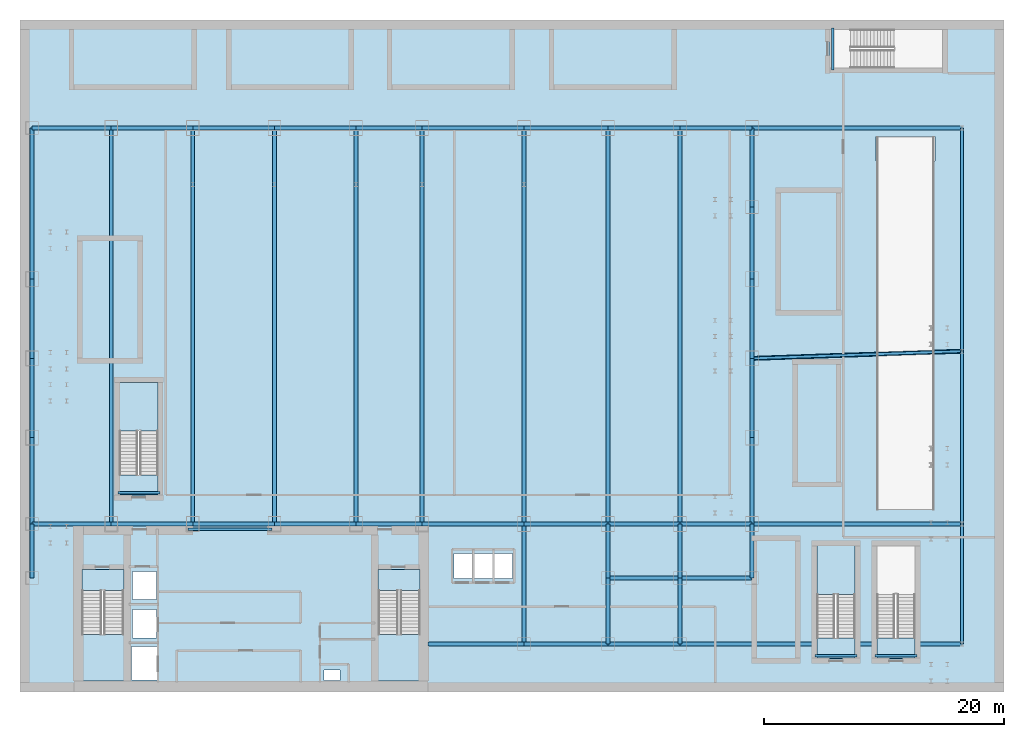
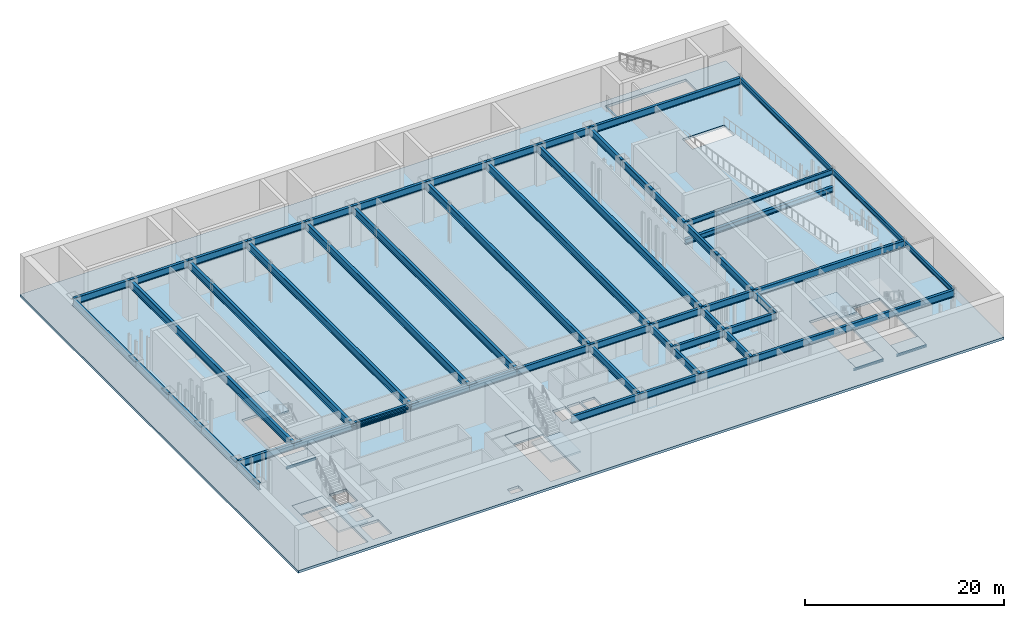
# One storey, part 7 of 16: 60 beams, 10 slabs, 4 elements without a shape of their own.
"""IFC4 building model written with IfcOpenShell, lengths in metres."""

import ifcopenshell
import ifcopenshell.guid

model = None  # the IFC model being written
_history = None  # IfcOwnerHistory: only IFC2X3 demands one
_inside = {}  # id of a spatial element -> (the spatial element, [elements in it])
_under = {}  # id of a project, library or spatial element -> (it, [spatial elements below it])
_declared = {}  # id of a project -> (the project, [libraries it declares])
_typed = {}  # id of a type object -> (the type object, [elements of that type])
_made_of = {}  # id of a material, layer set ... -> (it, [elements and type objects made of it])


def new_model(schema):
    """Start an empty IFC model of exactly this schema.

    Asked for "IFC4X3", IfcOpenShell would pick the latest addendum, in which some entities
    have other attributes; the version numbers below select the first issue.
    IFC2X3 requires an IfcOwnerHistory on every rooted entity: one is made here for all.
    """
    global model, _history
    if schema == "IFC4X3":
        model = ifcopenshell.file(schema_version=(4, 3, 0, 0))
    else:
        model = ifcopenshell.file(schema=schema)
    _inside.clear()
    _under.clear()
    _declared.clear()
    _typed.clear()
    _made_of.clear()
    _history = None
    if model.schema == "IFC2X3":
        org = make("IfcOrganization", Name="unknown")
        user = make(
            "IfcPersonAndOrganization",
            ThePerson=make("IfcPerson", FamilyName="unknown"),
            TheOrganization=org,
        )
        app = make(
            "IfcApplication",
            ApplicationDeveloper=org,
            Version="unknown",
            ApplicationFullName="unknown",
            ApplicationIdentifier="unknown",
        )
        _history = make(
            "IfcOwnerHistory",
            OwningUser=user,
            OwningApplication=app,
            ChangeAction="ADDED",
            CreationDate=0,
        )
    return model


def make(cls, **values):
    """One entity of the class cls with the attributes given. An attribute that is None is left unset."""
    return model.create_entity(
        cls, **{name: value for name, value in values.items() if value is not None}
    )


def rooted(cls, **values):
    """An entity with a GlobalId (a new one), such as an element, a storey or a relation."""
    return make(cls, GlobalId=ifcopenshell.guid.new(), OwnerHistory=_history, **values)


def si_unit(unit_type, name, prefix=None):
    """IfcSIUnit, for example si_unit("LENGTHUNIT", "METRE", prefix="MILLI")."""
    return make("IfcSIUnit", UnitType=unit_type, Prefix=prefix, Name=name)


def derived_unit(unit_type, elements):
    """IfcDerivedUnit: a product of units, each with its exponent."""
    return make(
        "IfcDerivedUnit",
        Elements=[
            make("IfcDerivedUnitElement", Unit=unit, Exponent=power)
            for unit, power in elements
        ],
        UnitType=unit_type,
    )


def assignment(units):
    """IfcUnitAssignment: the units of a project."""
    return None if units is None else make("IfcUnitAssignment", Units=units)


def point(xyz):
    """IfcCartesianPoint."""
    return None if xyz is None else make("IfcCartesianPoint", Coordinates=xyz)


def direction(xyz):
    """IfcDirection."""
    return None if xyz is None else make("IfcDirection", DirectionRatios=xyz)


def frame(location, z_axis=None, x_axis=None):
    """IfcAxis2Placement3D, a coordinate frame: its origin and axes. An axis left out is left unset."""
    return make(
        "IfcAxis2Placement3D",
        Location=point(location),
        Axis=direction(z_axis),
        RefDirection=direction(x_axis),
    )


def frame_2d(location, x_axis=None):
    """IfcAxis2Placement2D, a coordinate frame in the plane: its origin and x axis."""
    return make(
        "IfcAxis2Placement2D", Location=point(location), RefDirection=direction(x_axis)
    )


def origin():
    """The frame at (0, 0, 0) with its axes left unset."""
    return frame((0.0, 0.0, 0.0))


def origin_2d():
    """The frame at (0, 0) in the plane with its x axis left unset."""
    return frame_2d((0.0, 0.0))


def place(relative_to, where):
    """IfcLocalPlacement: puts the frame where relative to a parent placement (None: the world)."""
    return make(
        "IfcLocalPlacement", PlacementRelTo=relative_to, RelativePlacement=where
    )


def context(
    kind, dimensions, precision=None, world=None, true_north=None, identifier=None
):
    """IfcGeometricRepresentationContext, for example the 3D "Model" context."""
    return make(
        "IfcGeometricRepresentationContext",
        ContextIdentifier=identifier,
        ContextType=kind,
        CoordinateSpaceDimension=dimensions,
        Precision=precision,
        WorldCoordinateSystem=world,
        TrueNorth=true_north,
    )


def subcontext(parent, identifier, kind, view, scale=None):
    """IfcGeometricRepresentationSubContext, for example "Body" below "Model"."""
    return make(
        "IfcGeometricRepresentationSubContext",
        ContextIdentifier=identifier,
        ContextType=kind,
        ParentContext=parent,
        TargetScale=scale,
        TargetView=view,
    )


def project(units=None, contexts=None):
    """IfcProject with its units and contexts."""
    return rooted(
        "IfcProject",
        Name="project",
        RepresentationContexts=contexts,
        UnitsInContext=assignment(units),
    )


def spatial(cls, under=None, at=None, **own):
    """A site, building, storey or space (cls), placed at a placement, below another one or the project."""
    s = rooted(cls, ObjectPlacement=at, **own)
    if under is not None:
        _under.setdefault(under.id(), (under, []))[1].append(s)
    return s


def polyline(points):
    """IfcPolyline through the points."""
    return make("IfcPolyline", Points=[point(p) for p in points])


def profile(cls, at=None, kind="AREA", **sizes):
    """A parametric profile (cls). Its sizes go by their IFC names, for example OverallWidth=200.0."""
    return make(cls, ProfileType=kind, Position=at, **sizes)


def i_section(**sizes):
    """IfcIShapeProfileDef."""
    return profile("IfcIShapeProfileDef", **sizes)


def outline(outer, holes=None, kind="AREA"):
    """IfcArbitraryClosedProfileDef: a profile drawn as a closed curve; with holes, ...WithVoids."""
    if holes is None:
        return make("IfcArbitraryClosedProfileDef", ProfileType=kind, OuterCurve=outer)
    return make(
        "IfcArbitraryProfileDefWithVoids",
        ProfileType=kind,
        OuterCurve=outer,
        InnerCurves=holes,
    )


def extrude(swept, where, along, depth):
    """IfcExtrudedAreaSolid: the profile swept, set in the frame where, extruded along a direction by depth."""
    return make(
        "IfcExtrudedAreaSolid",
        SweptArea=swept,
        Position=where,
        ExtrudedDirection=direction(along),
        Depth=depth,
    )


def shape(context_of_items, identifier, shape_type, items):
    """IfcShapeRepresentation: the items that make up one representation, for example the "Body"."""
    return make(
        "IfcShapeRepresentation",
        ContextOfItems=context_of_items,
        RepresentationIdentifier=identifier,
        RepresentationType=shape_type,
        Items=items,
    )


def source(mapping_origin, context_of_items, identifier, shape_type, items):
    """IfcRepresentationMap: a shape defined once, which mapped items show again and again."""
    return make(
        "IfcRepresentationMap",
        MappingOrigin=mapping_origin,
        MappedRepresentation=shape(context_of_items, identifier, shape_type, items),
    )


def transform(
    local_origin,
    x_axis=None,
    y_axis=None,
    z_axis=None,
    scale=None,
    scale2=None,
    scale3=None,
    uniform=True,
):
    """IfcCartesianTransformationOperator3D, or its non-uniform kind. x_axis, y_axis, z_axis: its Axis1, 2, 3."""
    if uniform:
        return make(
            "IfcCartesianTransformationOperator3D",
            Axis1=direction(x_axis),
            Axis2=direction(y_axis),
            LocalOrigin=point(local_origin),
            Scale=scale,
            Axis3=direction(z_axis),
        )
    return make(
        "IfcCartesianTransformationOperator3DnonUniform",
        Axis1=direction(x_axis),
        Axis2=direction(y_axis),
        LocalOrigin=point(local_origin),
        Scale=scale,
        Axis3=direction(z_axis),
        Scale2=scale2,
        Scale3=scale3,
    )


def mapped(mapping_source, mapping_target):
    """IfcMappedItem: shows the shape of a source again, moved by a transform."""
    return make(
        "IfcMappedItem", MappingSource=mapping_source, MappingTarget=mapping_target
    )


def material(Name=None, Category=None):
    """IfcMaterial."""
    return make("IfcMaterial", Name=Name, Category=Category)


def layer(
    of_material, thickness, ventilated=None, Name=None, Category=None, Priority=None
):
    """IfcMaterialLayer: one layer of a wall or slab, of a material (None: an air gap)."""
    return make(
        "IfcMaterialLayer",
        Material=of_material,
        LayerThickness=thickness,
        IsVentilated=ventilated,
        Name=Name,
        Category=Category,
        Priority=Priority,
    )


def layer_set(layers, Name=None):
    """IfcMaterialLayerSet."""
    return make("IfcMaterialLayerSet", MaterialLayers=layers, LayerSetName=Name)


def material_profile(
    of_material, cross_section, Name=None, Category=None, Priority=None
):
    """IfcMaterialProfile: a cross section and its material."""
    return make(
        "IfcMaterialProfile",
        Name=Name,
        Material=of_material,
        Profile=cross_section,
        Priority=Priority,
        Category=Category,
    )


def profile_set(profiles, Name=None, composite=None):
    """IfcMaterialProfileSet."""
    return make(
        "IfcMaterialProfileSet",
        Name=Name,
        MaterialProfiles=profiles,
        CompositeProfile=composite,
    )


def made_of(thing, what):
    """Note that an element or type object is made of a material, layer set ...; save() writes the relation."""
    if what is not None:
        _made_of.setdefault(what.id(), (what, []))[1].append(thing)
    return thing


def type_object(cls, material=None, **own):
    """A type object (cls), such as IfcWallType, which elements share."""
    return made_of(rooted(cls, **own), material)


def element(
    cls,
    number,
    at=None,
    inside=None,
    cuts=None,
    type_object=None,
    material=None,
    context=None,
    identifier="Body",
    shape_type=None,
    held_by="IfcProductDefinitionShape",
    body=None,
    shapes=None,
    **own,
):
    """One element of the class cls, such as IfcWall. Its Tag is "e" and its number.

    at: its placement. inside: the storey or other place that contains it. cuts: it is an
    opening in that element (IfcRelVoidsElement). A single representation is given by context,
    identifier, shape_type and body (its items); several are given by shapes. held_by: the class
    of the entity that holds the representations. save() writes the other relations.
    """
    e = rooted(cls, Tag="e%d" % number, ObjectPlacement=at, **own)
    if body is not None:
        shapes = [shape(context, identifier, shape_type, body)]
    if shapes is not None:
        e.Representation = make(held_by, Representations=shapes)
    if inside is not None:
        _inside.setdefault(inside.id(), (inside, []))[1].append(e)
    if cuts is not None:
        rooted(
            "IfcRelVoidsElement", RelatingBuildingElement=cuts, RelatedOpeningElement=e
        )
    if type_object is not None:
        _typed.setdefault(type_object.id(), (type_object, []))[1].append(e)
    return made_of(e, material)


def aggregate(whole, parts):
    """IfcRelAggregates: a whole, such as a stair, and the parts it consists of."""
    return rooted("IfcRelAggregates", RelatingObject=whole, RelatedObjects=parts)


def save(model, path):
    """Write the relations noted so far, then the file.

    IfcRelAggregates (storeys below a building ...), IfcRelContainedInSpatialStructure (elements
    in a storey), IfcRelDefinesByType, IfcRelAssociatesMaterial and IfcRelDeclares: one each for
    every whole, place, type object, material and project.
    """
    for whole, parts in _under.values():
        aggregate(whole, parts)
    for where, things in _inside.values():
        rooted(
            "IfcRelContainedInSpatialStructure",
            RelatedElements=things,
            RelatingStructure=where,
        )
    for kind, things in _typed.values():
        rooted("IfcRelDefinesByType", RelatedObjects=things, RelatingType=kind)
    for what, things in _made_of.values():
        rooted("IfcRelAssociatesMaterial", RelatedObjects=things, RelatingMaterial=what)
    for by, libraries in _declared.values():
        rooted("IfcRelDeclares", RelatingContext=by, RelatedDefinitions=libraries)
    model.write(path)


model = new_model("IFC4")

# Units and contexts
model_context = context("Model", 3, precision=1e-05, world=origin(), true_north=direction((0.0, 1.0)))
body_context = subcontext(model_context, "Body", "Model", "MODEL_VIEW")
ifc_project = project(units=[si_unit("LENGTHUNIT", "METRE"), si_unit("AREAUNIT", "SQUARE_METRE"), si_unit("VOLUMEUNIT", "CUBIC_METRE"), si_unit("PLANEANGLEUNIT", "RADIAN"), si_unit("MASSUNIT", "GRAM", prefix="KILO"), derived_unit("THERMALTRANSMITTANCEUNIT", [(si_unit("POWERUNIT", "WATT"), 1), (si_unit("LENGTHUNIT", "METRE"), -2), (si_unit("THERMODYNAMICTEMPERATUREUNIT", "KELVIN"), -1)])], contexts=[model_context])

# Site, building, storey
site_placement = place(None, origin())
site = spatial("IfcSite", under=ifc_project, at=site_placement, CompositionType="ELEMENT")
building_placement = place(site_placement, origin())
building = spatial("IfcBuilding", under=site, at=building_placement, Name="Skarnbrae Concourse Arena and Tower", CompositionType="ELEMENT")
storey_placement = place(building_placement, frame((0.0, 0.0, -5.0)))
storey = spatial("IfcBuildingStorey", under=building, at=storey_placement, Name="B01", CompositionType="ELEMENT", Elevation=-5.0)

# Beams
ifc_material_1 = material(Name="Steel CSA G40.21 350W", Category="steel")
ifc_material_profile_1 = material_profile(ifc_material_1, i_section(OverallWidth=0.202880859375, OverallDepth=0.251953125, WebThickness=0.008056640625, FlangeThickness=0.013427734375, at=origin_2d()), Name="W250X58")
ifc_profile_set_1 = profile_set([ifc_material_profile_1], Name="Steel CSA G40.21 350W")
beam_type_1 = type_object("IfcBeamType", Name="BM-LINTEL-W250X58", PredefinedType="LINTEL", material=ifc_profile_set_1)
shared_shape_1 = source(origin(), body_context, "Body", "SweptSolid", [
    extrude(i_section(OverallWidth=0.202880859375, OverallDepth=0.251953125, WebThickness=0.008056640625, FlangeThickness=0.013427734375, at=origin_2d()), origin(), (0.0, 0.0, 1.0), 7.0),
])
beam_1_placement = place(storey_placement, frame((14.0, 13.550048828125, 4.573974609375), z_axis=(1.0, 0.0, 0.0), x_axis=(0.0, 1.0, 0.0)))
element("IfcBeam", 1, at=beam_1_placement, inside=storey, type_object=beam_type_1, Name="B01 Core portal coupling lintel", PredefinedType="LINTEL", context=body_context, shape_type="MappedRepresentation", body=[
    mapped(shared_shape_1, transform((0.0, 0.0, 0.0))),
])
ifc_material_profile_2 = material_profile(ifc_material_1, i_section(OverallWidth=0.2939453125, OverallDepth=0.85107421875, WebThickness=0.01611328125, FlangeThickness=0.02685546875, at=origin_2d()), Name="W840X226")
ifc_profile_set_2 = profile_set([ifc_material_profile_2], Name="Steel CSA G40.21 350W")
beam_type_2 = type_object("IfcBeamType", Name="BM-GIRD-W840X226", PredefinedType="BEAM", material=ifc_profile_set_2)
shared_shape_2 = source(origin(), body_context, "Body", "SweptSolid", [
    extrude(i_section(OverallWidth=0.2939453125, OverallDepth=0.85107421875, WebThickness=0.01611328125, FlangeThickness=0.02685546875, at=origin_2d()), origin(), (0.0, 0.0, 1.0), 6.60009765625),
])
for number, where, z_axis, x_axis, name in (
    (2, (1.0, 47.0, 4.2744140625), (1.0, 0.0, 0.0), (0.0, 1.0, 0.0), "B01 Podium north girder 1"),
    (3, (1.0, 14.0, 4.2744140625), (1.0, 0.0, 0.0), (0.0, 1.0, 0.0), "B01 Podium south spine girder 1"),
    (4, (1.0, 21.199951171875, 4.2744140625), (0.0, 1.0, 0.0), (-1.0, 0.0, 0.0), "B01 Podium west girder 3"),
    (5, (61.0, 21.199951171875, 4.2744140625), (0.0, 1.0, 0.0), (-1.0, 0.0, 0.0), "B01 Podium east girder 3"),
    (6, (61.0, 40.39990234375, 4.2744140625), (0.0, 1.0, 0.0), (-1.0, 0.0, 0.0), "B01 Podium east girder 6"),
):
    element("IfcBeam", number, at=place(storey_placement, frame(where, z_axis=z_axis, x_axis=x_axis)), inside=storey, type_object=beam_type_2, Name=name, PredefinedType="BEAM", context=body_context, shape_type="MappedRepresentation", body=[
        mapped(shared_shape_2, transform((0.0, 0.0, 0.0))),
    ])
shared_shape_3 = source(origin(), body_context, "Body", "SweptSolid", [
    extrude(i_section(OverallWidth=0.2939453125, OverallDepth=0.85107421875, WebThickness=0.01611328125, FlangeThickness=0.02685546875, at=origin_2d()), origin(), (0.0, 0.0, 1.0), 6.7998046875),
])
for number, where, z_axis, x_axis, name in (
    (7, (7.60009765625, 47.0, 4.2744140625), (1.0, 0.0, 0.0), (0.0, 1.0, 0.0), "B01 Podium north girder 2"),
    (8, (7.60009765625, 14.0, 4.2744140625), (1.0, 0.0, 0.0), (0.0, 1.0, 0.0), "B01 Podium south spine girder 2"),
):
    element("IfcBeam", number, at=place(storey_placement, frame(where, z_axis=z_axis, x_axis=x_axis)), inside=storey, type_object=beam_type_2, Name=name, PredefinedType="BEAM", context=body_context, shape_type="MappedRepresentation", body=[
        mapped(shared_shape_3, transform((0.0, 0.0, 0.0))),
    ])
shared_shape_4 = source(origin(), body_context, "Body", "SweptSolid", [
    extrude(i_section(OverallWidth=0.2939453125, OverallDepth=0.85107421875, WebThickness=0.01611328125, FlangeThickness=0.02685546875, at=origin_2d()), origin(), (0.0, 0.0, 1.0), 6.800048828125),
])
for number, where, z_axis, x_axis, name in (
    (9, (14.39990234375, 47.0, 4.2744140625), (1.0, 0.0, 0.0), (0.0, 1.0, 0.0), "B01 Podium north girder 3"),
    (10, (21.199951171875, 47.0, 4.2744140625), (1.0, 0.0, 0.0), (0.0, 1.0, 0.0), "B01 Podium north girder 4"),
    (11, (14.39990234375, 14.0, 4.2744140625), (1.0, 0.0, 0.0), (0.0, 1.0, 0.0), "B01 Podium south spine girder 3"),
    (12, (21.199951171875, 14.0, 4.2744140625), (1.0, 0.0, 0.0), (0.0, 1.0, 0.0), "B01 Podium south spine girder 4"),
):
    element("IfcBeam", number, at=place(storey_placement, frame(where, z_axis=z_axis, x_axis=x_axis)), inside=storey, type_object=beam_type_2, Name=name, PredefinedType="BEAM", context=body_context, shape_type="MappedRepresentation", body=[
        mapped(shared_shape_4, transform((0.0, 0.0, 0.0))),
    ])
shared_shape_5 = source(origin(), body_context, "Body", "SweptSolid", [
    extrude(i_section(OverallWidth=0.2939453125, OverallDepth=0.85107421875, WebThickness=0.01611328125, FlangeThickness=0.02685546875, at=origin_2d()), origin(), (0.0, 0.0, 1.0), 5.5),
])
for number, where, z_axis, x_axis, name in (
    (13, (28.0, 47.0, 4.2744140625), (1.0, 0.0, 0.0), (0.0, 1.0, 0.0), "B01 Podium north girder 5"),
    (14, (28.0, 14.0, 4.2744140625), (1.0, 0.0, 0.0), (0.0, 1.0, 0.0), "B01 Podium south spine girder 5"),
    (15, (49.0, 4.0, 4.2744140625), (0.0, 1.0, 0.0), (-1.0, 0.0, 0.0), "B01 SE south tie 49"),
    (16, (55.0, 4.0, 4.2744140625), (0.0, 1.0, 0.0), (-1.0, 0.0, 0.0), "B01 SE south tie 55"),
):
    element("IfcBeam", number, at=place(storey_placement, frame(where, z_axis=z_axis, x_axis=x_axis)), inside=storey, type_object=beam_type_2, Name=name, PredefinedType="BEAM", context=body_context, shape_type="MappedRepresentation", body=[
        mapped(shared_shape_5, transform((0.0, 0.0, 0.0))),
    ])
shared_shape_6 = source(origin(), body_context, "Body", "SweptSolid", [
    extrude(i_section(OverallWidth=0.2939453125, OverallDepth=0.85107421875, WebThickness=0.01611328125, FlangeThickness=0.02685546875, at=origin_2d()), origin(), (0.0, 0.0, 1.0), 8.5),
])
for number, where, z_axis, x_axis, name in (
    (17, (33.5, 47.0, 4.2744140625), (1.0, 0.0, 0.0), (0.0, 1.0, 0.0), "B01 Podium north girder 6"),
    (18, (33.5, 14.0, 4.2744140625), (1.0, 0.0, 0.0), (0.0, 1.0, 0.0), "B01 Podium south spine girder 6"),
):
    element("IfcBeam", number, at=place(storey_placement, frame(where, z_axis=z_axis, x_axis=x_axis)), inside=storey, type_object=beam_type_2, Name=name, PredefinedType="BEAM", context=body_context, shape_type="MappedRepresentation", body=[
        mapped(shared_shape_6, transform((0.0, 0.0, 0.0))),
    ])
shared_shape_7 = source(origin(), body_context, "Body", "SweptSolid", [
    extrude(i_section(OverallWidth=0.2939453125, OverallDepth=0.85107421875, WebThickness=0.01611328125, FlangeThickness=0.02685546875, at=origin_2d()), origin(), (0.0, 0.0, 1.0), 7.0),
])
for number, where, z_axis, x_axis, name in (
    (19, (42.0, 47.0, 4.2744140625), (1.0, 0.0, 0.0), (0.0, 1.0, 0.0), "B01 Podium north girder 7"),
    (20, (42.0, 14.0, 4.2744140625), (1.0, 0.0, 0.0), (0.0, 1.0, 0.0), "B01 Podium south spine girder 7"),
    (21, (42.0, 4.0, 4.2744140625), (1.0, 0.0, 0.0), (0.0, 1.0, 0.0), "B01 South-east girder 2"),
):
    element("IfcBeam", number, at=place(storey_placement, frame(where, z_axis=z_axis, x_axis=x_axis)), inside=storey, type_object=beam_type_2, Name=name, PredefinedType="BEAM", context=body_context, shape_type="MappedRepresentation", body=[
        mapped(shared_shape_7, transform((0.0, 0.0, 0.0))),
    ])
shared_shape_8 = source(origin(), body_context, "Body", "SweptSolid", [
    extrude(i_section(OverallWidth=0.2939453125, OverallDepth=0.85107421875, WebThickness=0.01611328125, FlangeThickness=0.02685546875, at=origin_2d()), origin(), (0.0, 0.0, 1.0), 6.0),
])
for number, where, z_axis, x_axis, name in (
    (22, (49.0, 47.0, 4.2744140625), (1.0, 0.0, 0.0), (0.0, 1.0, 0.0), "B01 Podium north girder 8"),
    (23, (55.0, 47.0, 4.2744140625), (1.0, 0.0, 0.0), (0.0, 1.0, 0.0), "B01 Podium north girder 9"),
    (24, (49.0, 14.0, 4.2744140625), (1.0, 0.0, 0.0), (0.0, 1.0, 0.0), "B01 Podium south spine girder 8"),
    (25, (55.0, 14.0, 4.2744140625), (1.0, 0.0, 0.0), (0.0, 1.0, 0.0), "B01 Podium south spine girder 9"),
    (26, (61.0, 34.39990234375, 4.2744140625), (0.0, 1.0, 0.0), (-1.0, 0.0, 0.0), "B01 Podium east girder 5"),
    (27, (49.0, 9.5, 4.2744140625), (1.0, 0.0, 0.0), (0.0, 1.0, 0.0), "B01 SE elbow girder 1"),
    (28, (55.0, 9.5, 4.2744140625), (1.0, 0.0, 0.0), (0.0, 1.0, 0.0), "B01 SE elbow girder 2"),
    (29, (49.0, 4.0, 4.2744140625), (1.0, 0.0, 0.0), (0.0, 1.0, 0.0), "B01 South-east girder 3"),
):
    element("IfcBeam", number, at=place(storey_placement, frame(where, z_axis=z_axis, x_axis=x_axis)), inside=storey, type_object=beam_type_2, Name=name, PredefinedType="BEAM", context=body_context, shape_type="MappedRepresentation", body=[
        mapped(shared_shape_8, transform((0.0, 0.0, 0.0))),
    ])
shared_shape_9 = source(origin(), body_context, "Body", "SweptSolid", [
    extrude(i_section(OverallWidth=0.2939453125, OverallDepth=0.85107421875, WebThickness=0.01611328125, FlangeThickness=0.02685546875, at=origin_2d()), origin(), (0.0, 0.0, 1.0), 17.5),
])
for number, where, z_axis, x_axis, name in (
    (30, (61.0, 47.0, 4.2744140625), (1.0, 0.0, 0.0), (0.0, 1.0, 0.0), "B01 Podium north girder 10"),
    (31, (61.0, 14.0, 4.2744140625), (1.0, 0.0, 0.0), (0.0, 1.0, 0.0), "B01 Podium south spine girder 10"),
):
    element("IfcBeam", number, at=place(storey_placement, frame(where, z_axis=z_axis, x_axis=x_axis)), inside=storey, type_object=beam_type_2, Name=name, PredefinedType="BEAM", context=body_context, shape_type="MappedRepresentation", body=[
        mapped(shared_shape_9, transform((0.0, 0.0, 0.0))),
    ])
shared_shape_10 = source(origin(), body_context, "Body", "SweptSolid", [
    extrude(i_section(OverallWidth=0.2939453125, OverallDepth=0.85107421875, WebThickness=0.01611328125, FlangeThickness=0.02685546875, at=origin_2d()), origin(), (0.0, 0.0, 1.0), 4.5),
])
for number, where, z_axis, x_axis, name in (
    (32, (1.0, 9.5, 4.2744140625), (0.0, 1.0, 0.0), (-1.0, 0.0, 0.0), "B01 Podium west girder 1"),
    (33, (61.0, 9.5, 4.2744140625), (0.0, 1.0, 0.0), (-1.0, 0.0, 0.0), "B01 Podium east girder 1"),
    (34, (49.0, 9.5, 4.2744140625), (0.0, 1.0, 0.0), (-1.0, 0.0, 0.0), "B01 SE north tie 49"),
    (35, (55.0, 9.5, 4.2744140625), (0.0, 1.0, 0.0), (-1.0, 0.0, 0.0), "B01 SE north tie 55"),
):
    element("IfcBeam", number, at=place(storey_placement, frame(where, z_axis=z_axis, x_axis=x_axis)), inside=storey, type_object=beam_type_2, Name=name, PredefinedType="BEAM", context=body_context, shape_type="MappedRepresentation", body=[
        mapped(shared_shape_10, transform((0.0, 0.0, 0.0))),
    ])
shared_shape_11 = source(origin(), body_context, "Body", "SweptSolid", [
    extrude(i_section(OverallWidth=0.2939453125, OverallDepth=0.85107421875, WebThickness=0.01611328125, FlangeThickness=0.02685546875, at=origin_2d()), origin(), (0.0, 0.0, 1.0), 7.199951171875),
])
for number, where, z_axis, x_axis, name in (
    (36, (1.0, 14.0, 4.2744140625), (0.0, 1.0, 0.0), (-1.0, 0.0, 0.0), "B01 Podium west girder 2"),
    (37, (61.0, 14.0, 4.2744140625), (0.0, 1.0, 0.0), (-1.0, 0.0, 0.0), "B01 Podium east girder 2"),
):
    element("IfcBeam", number, at=place(storey_placement, frame(where, z_axis=z_axis, x_axis=x_axis)), inside=storey, type_object=beam_type_2, Name=name, PredefinedType="BEAM", context=body_context, shape_type="MappedRepresentation", body=[
        mapped(shared_shape_11, transform((0.0, 0.0, 0.0))),
    ])
shared_shape_12 = source(origin(), body_context, "Body", "SweptSolid", [
    extrude(i_section(OverallWidth=0.2939453125, OverallDepth=0.85107421875, WebThickness=0.01611328125, FlangeThickness=0.02685546875, at=origin_2d()), origin(), (0.0, 0.0, 1.0), 6.599853515625),
])
for number, where, z_axis, x_axis, name in (
    (38, (1.0, 27.800048828125, 4.2744140625), (0.0, 1.0, 0.0), (-1.0, 0.0, 0.0), "B01 Podium west girder 4"),
    (39, (61.0, 27.800048828125, 4.2744140625), (0.0, 1.0, 0.0), (-1.0, 0.0, 0.0), "B01 Podium east girder 4"),
):
    element("IfcBeam", number, at=place(storey_placement, frame(where, z_axis=z_axis, x_axis=x_axis)), inside=storey, type_object=beam_type_2, Name=name, PredefinedType="BEAM", context=body_context, shape_type="MappedRepresentation", body=[
        mapped(shared_shape_12, transform((0.0, 0.0, 0.0))),
    ])
shared_shape_13 = source(origin(), body_context, "Body", "SweptSolid", [
    extrude(i_section(OverallWidth=0.2939453125, OverallDepth=0.85107421875, WebThickness=0.01611328125, FlangeThickness=0.02685546875, at=origin_2d()), origin(), (0.0, 0.0, 1.0), 12.60009765625),
])
beam_2_placement = place(storey_placement, frame((1.0, 34.39990234375, 4.2744140625), z_axis=(0.0, 1.0, 0.0), x_axis=(-1.0, 0.0, 0.0)))
element("IfcBeam", 40, at=beam_2_placement, inside=storey, type_object=beam_type_2, Name="B01 Podium west girder 5", PredefinedType="BEAM", context=body_context, shape_type="MappedRepresentation", body=[
    mapped(shared_shape_13, transform((0.0, 0.0, 0.0))),
])
ifc_material_profile_3 = material_profile(ifc_material_1, i_section(OverallWidth=0.22802734375, OverallDepth=0.60791015625, WebThickness=0.01123046875, FlangeThickness=0.017333984375, at=origin_2d()), Name="W610X113")
ifc_profile_set_3 = profile_set([ifc_material_profile_3], Name="Steel CSA G40.21 350W")
beam_type_3 = type_object("IfcBeamType", Name="BM-GIRD-W610X113", PredefinedType="BEAM", material=ifc_profile_set_3)
shared_shape_14 = source(origin(), body_context, "Body", "SweptSolid", [
    extrude(i_section(OverallWidth=0.22802734375, OverallDepth=0.60791015625, WebThickness=0.01123046875, FlangeThickness=0.017333984375, at=origin_2d()), origin(), (0.0, 0.0, 1.0), 10.0),
])
beam_3_placement = place(storey_placement, frame((78.5, 4.0, 4.39599609375), z_axis=(0.0, 1.0, 0.0), x_axis=(-1.0, 0.0, 0.0)))
element("IfcBeam", 41, at=beam_3_placement, inside=storey, type_object=beam_type_3, Name="B01 Podium outer east girder 1", PredefinedType="BEAM", context=body_context, shape_type="MappedRepresentation", body=[
    mapped(shared_shape_14, transform((0.0, 0.0, 0.0))),
])
shared_shape_15 = source(origin(), body_context, "Body", "SweptSolid", [
    extrude(i_section(OverallWidth=0.22802734375, OverallDepth=0.60791015625, WebThickness=0.01123046875, FlangeThickness=0.017333984375, at=origin_2d()), origin(), (0.0, 0.0, 1.0), 14.39990234375),
])
beam_4_placement = place(storey_placement, frame((78.5, 14.0, 4.39599609375), z_axis=(0.0, 1.0, 0.0), x_axis=(-1.0, 0.0, 0.0)))
element("IfcBeam", 42, at=beam_4_placement, inside=storey, type_object=beam_type_3, Name="B01 Podium outer east girder 2", PredefinedType="BEAM", context=body_context, shape_type="MappedRepresentation", body=[
    mapped(shared_shape_15, transform((0.0, 0.0, 0.0))),
])
shared_shape_16 = source(origin(), body_context, "Body", "SweptSolid", [
    extrude(i_section(OverallWidth=0.22802734375, OverallDepth=0.60791015625, WebThickness=0.01123046875, FlangeThickness=0.017333984375, at=origin_2d()), origin(), (0.0, 0.0, 1.0), 18.60009765625),
])
beam_5_placement = place(storey_placement, frame((78.5, 28.39990234375, 4.39599609375), z_axis=(0.0, 1.0, 0.0), x_axis=(-1.0, 0.0, 0.0)))
element("IfcBeam", 43, at=beam_5_placement, inside=storey, type_object=beam_type_3, Name="B01 Podium outer east girder 3", PredefinedType="BEAM", context=body_context, shape_type="MappedRepresentation", body=[
    mapped(shared_shape_16, transform((0.0, 0.0, 0.0))),
])
shared_shape_17 = source(origin(), body_context, "Body", "SweptSolid", [
    extrude(i_section(OverallWidth=0.22802734375, OverallDepth=0.60791015625, WebThickness=0.01123046875, FlangeThickness=0.017333984375, at=origin_2d()), origin(), (0.0, 0.0, 1.0), 17.51025390625),
])
beam_6_placement = place(storey_placement, frame((61.0, 27.800048828125, 4.39599609375), z_axis=(0.999413049025, 0.03425722463, 0.0), x_axis=(-0.03425722463, 0.999413049025, 0.0)))
element("IfcBeam", 44, at=beam_6_placement, inside=storey, type_object=beam_type_3, Name="B01 East concourse tie girder", PredefinedType="BEAM", context=body_context, shape_type="MappedRepresentation", body=[
    mapped(shared_shape_17, transform((0.0, 0.0, 0.0))),
])
shared_shape_18 = source(origin(), body_context, "Body", "SweptSolid", [
    extrude(i_section(OverallWidth=0.2939453125, OverallDepth=0.85107421875, WebThickness=0.01611328125, FlangeThickness=0.02685546875, at=origin_2d()), origin(), (0.0, 0.0, 1.0), 8.0),
])
beam_7_placement = place(storey_placement, frame((34.0, 4.0, 4.2744140625), z_axis=(1.0, 0.0, 0.0), x_axis=(0.0, 1.0, 0.0)))
element("IfcBeam", 45, at=beam_7_placement, inside=storey, type_object=beam_type_2, Name="B01 South-east girder 1", PredefinedType="BEAM", context=body_context, shape_type="MappedRepresentation", body=[
    mapped(shared_shape_18, transform((0.0, 0.0, 0.0))),
])
shared_shape_19 = source(origin(), body_context, "Body", "SweptSolid", [
    extrude(i_section(OverallWidth=0.2939453125, OverallDepth=0.85107421875, WebThickness=0.01611328125, FlangeThickness=0.02685546875, at=origin_2d()), origin(), (0.0, 0.0, 1.0), 23.5),
])
beam_8_placement = place(storey_placement, frame((55.0, 4.0, 4.2744140625), z_axis=(1.0, 0.0, 0.0), x_axis=(0.0, 1.0, 0.0)))
element("IfcBeam", 46, at=beam_8_placement, inside=storey, type_object=beam_type_2, Name="B01 South-east girder 4", PredefinedType="BEAM", context=body_context, shape_type="MappedRepresentation", body=[
    mapped(shared_shape_19, transform((0.0, 0.0, 0.0))),
])
shared_shape_20 = source(origin(), body_context, "Body", "SweptSolid", [
    extrude(i_section(OverallWidth=0.2939453125, OverallDepth=0.85107421875, WebThickness=0.01611328125, FlangeThickness=0.02685546875, at=origin_2d()), origin(), (0.0, 0.0, 1.0), 10.0),
])
beam_9_placement = place(storey_placement, frame((42.0, 4.0, 4.2744140625), z_axis=(0.0, 1.0, 0.0), x_axis=(-1.0, 0.0, 0.0)))
element("IfcBeam", 47, at=beam_9_placement, inside=storey, type_object=beam_type_2, Name="B01 SE cross tie 42", PredefinedType="BEAM", context=body_context, shape_type="MappedRepresentation", body=[
    mapped(shared_shape_20, transform((0.0, 0.0, 0.0))),
])
ifc_material_profile_4 = material_profile(ifc_material_1, i_section(OverallWidth=0.30908203125, OverallDepth=0.931884765625, WebThickness=0.01953125, FlangeThickness=0.034423828125, at=origin_2d()), Name="W920X313")
ifc_profile_set_4 = profile_set([ifc_material_profile_4], Name="Steel CSA G40.21 350W")
beam_type_4 = type_object("IfcBeamType", Name="BM-GIRD-W920X313", PredefinedType="BEAM", material=ifc_profile_set_4)
shared_shape_21 = source(origin(), body_context, "Body", "SweptSolid", [
    extrude(i_section(OverallWidth=0.30908203125, OverallDepth=0.931884765625, WebThickness=0.01953125, FlangeThickness=0.034423828125, at=origin_2d()), origin(), (0.0, 0.0, 1.0), 33.0),
])
for number, where, z_axis, x_axis, name in (
    (48, (7.60009765625, 14.0, 4.23388671875), (0.0, 1.0, 0.0), (-1.0, 0.0, 0.0), "B01 Arena span girder 1"),
    (49, (14.39990234375, 14.0, 4.23388671875), (0.0, 1.0, 0.0), (-1.0, 0.0, 0.0), "B01 Arena span girder 2"),
    (50, (21.199951171875, 14.0, 4.23388671875), (0.0, 1.0, 0.0), (-1.0, 0.0, 0.0), "B01 Arena span girder 3"),
    (51, (28.0, 14.0, 4.23388671875), (0.0, 1.0, 0.0), (-1.0, 0.0, 0.0), "B01 Arena span girder 4"),
    (52, (33.5, 14.0, 4.23388671875), (0.0, 1.0, 0.0), (-1.0, 0.0, 0.0), "B01 Arena span girder 5"),
    (53, (42.0, 14.0, 4.23388671875), (0.0, 1.0, 0.0), (-1.0, 0.0, 0.0), "B01 Arena span girder 6"),
    (54, (49.0, 14.0, 4.23388671875), (0.0, 1.0, 0.0), (-1.0, 0.0, 0.0), "B01 Arena span girder 7"),
    (55, (55.0, 14.0, 4.23388671875), (0.0, 1.0, 0.0), (-1.0, 0.0, 0.0), "B01 Arena span girder 8"),
):
    element("IfcBeam", number, at=place(storey_placement, frame(where, z_axis=z_axis, x_axis=x_axis)), inside=storey, type_object=beam_type_4, Name=name, PredefinedType="BEAM", context=body_context, shape_type="MappedRepresentation", body=[
        mapped(shared_shape_21, transform((0.0, 0.0, 0.0))),
    ])
ifc_material_profile_5 = material_profile(ifc_material_1, i_section(OverallWidth=0.3291015625, OverallDepth=0.635009765625, WebThickness=0.017822265625, FlangeThickness=0.031005859375, at=origin_2d()), Name="W610X241")
ifc_profile_set_5 = profile_set([ifc_material_profile_5], Name="Steel CSA G40.21 350W")
beam_type_5 = type_object("IfcBeamType", Name="BM-GIRD-W610X241", PredefinedType="BEAM", material=ifc_profile_set_5)
shared_shape_22 = source(origin(), body_context, "Body", "SweptSolid", [
    extrude(i_section(OverallWidth=0.3291015625, OverallDepth=0.635009765625, WebThickness=0.017822265625, FlangeThickness=0.031005859375, at=origin_2d()), origin(), (0.0, 0.0, 1.0), 17.51025390625),
])
beam_10_placement = place(storey_placement, frame((61.0, 27.800048828125, 2.25341796875), z_axis=(0.999413049025, 0.03425722463, 0.0), x_axis=(-0.03425722463, 0.999413049025, 0.0)))
element("IfcBeam", 56, at=beam_10_placement, inside=storey, type_object=beam_type_5, Name="B01 Vehicle ramp mid-span support girder", PredefinedType="BEAM", context=body_context, shape_type="MappedRepresentation", body=[
    mapped(shared_shape_22, transform((0.0, 0.0, 0.0))),
])
shared_shape_23 = source(origin(), body_context, "Body", "SweptSolid", [
    extrude(i_section(OverallWidth=0.202880859375, OverallDepth=0.251953125, WebThickness=0.008056640625, FlangeThickness=0.013427734375, at=origin_2d()), origin(), (0.0, 0.0, 1.0), 3.5),
])
for number, where, z_axis, x_axis, name in (
    (57, (69.75, 3.02001953125, -0.325927734375), (-1.0, 0.0, 0.0), (0.0, -1.0, 0.0), "B01 Stair ST-B1 near landing soffit beam"),
    (58, (74.75, 3.02001953125, -0.325927734375), (-1.0, 0.0, 0.0), (0.0, -1.0, 0.0), "B01 Stair ST-B2 near landing soffit beam"),
    (59, (11.64990234375, 16.6201171875, -0.325927734375), (-1.0, 0.0, 0.0), (0.0, -1.0, 0.0), "B01 Stair ST-B3 near landing soffit beam"),
    (60, (67.719970703125, 51.85009765625, -0.325927734375), (0.0, 1.0, 0.0), (-1.0, 0.0, 0.0), "B01 Stair ST-B4 near landing soffit beam"),
):
    element("IfcBeam", number, at=place(storey_placement, frame(where, z_axis=z_axis, x_axis=x_axis)), inside=storey, type_object=beam_type_1, Name=name, PredefinedType="LINTEL", context=body_context, shape_type="MappedRepresentation", body=[
        mapped(shared_shape_23, transform((0.0, 0.0, 0.0))),
    ])

# Stair, slab
ifc_material_2 = material(Name="Concrete 40 MPa (C40/50)", Category="concrete")
stair_type_1 = type_object("IfcStairType", Name="STAIR-DOGLEG-1650", PredefinedType="HALF_TURN_STAIR", material=ifc_material_2)
stair_1_placement = place(storey_placement, origin())
stair_1 = element("IfcStair", 61, at=stair_1_placement, inside=storey, type_object=stair_type_1, Name="B01 Protected Exit Stair ST-1", PredefinedType="HALF_TURN_STAIR")
ifc_layer_1 = layer(ifc_material_2, 0.199951171875)
ifc_layer_set_1 = layer_set([ifc_layer_1], Name="Concrete 40 MPa (C40/50)")
slab_type_1 = type_object("IfcSlabType", Name="SLAB-LANDING-200", PredefinedType="LANDING", material=ifc_layer_set_1)
slab_1_placement = place(storey_placement, frame((0.0, 0.0, 2.300048828125)))
slab_1 = element("IfcSlab", 62, at=slab_1_placement, type_object=slab_type_1, Name="ST-1 landing 1", PredefinedType="LANDING", context=body_context, shape_type="SweptSolid", body=[
    extrude(outline(polyline([(5.14990234375, 4.81005859375), (5.14990234375, 0.89990234375), (8.64990234375, 0.89990234375), (8.64990234375, 4.81005859375), (5.14990234375, 4.81005859375)])), origin(), (0.0, 0.0, 1.0), 0.199951171875),
])
aggregate(stair_1, [slab_1])

stair_2_placement = place(storey_placement, origin())
stair_2 = element("IfcStair", 63, at=stair_2_placement, inside=storey, type_object=stair_type_1, Name="B01 Protected Exit Stair ST-2", PredefinedType="HALF_TURN_STAIR")
slab_2_placement = place(storey_placement, frame((0.0, 0.0, 2.300048828125)))
slab_2 = element("IfcSlab", 64, at=slab_2_placement, type_object=slab_type_1, Name="ST-2 landing 1", PredefinedType="LANDING", context=body_context, shape_type="SweptSolid", body=[
    extrude(outline(polyline([(29.85009765625, 4.81005859375), (29.85009765625, 0.89990234375), (33.35009765625, 0.89990234375), (33.35009765625, 4.81005859375), (29.85009765625, 4.81005859375)])), origin(), (0.0, 0.0, 1.0), 0.199951171875),
])
aggregate(stair_2, [slab_2])

# Slabs
slab_3_placement = place(storey_placement, frame((0.0, 0.0, -0.199951171875)))
element("IfcSlab", 65, at=slab_3_placement, inside=storey, type_object=slab_type_1, Name="B01 Core stair ST1 floor landing", PredefinedType="LANDING", context=body_context, shape_type="SweptSolid", body=[
    extrude(outline(polyline([(5.14990234375, 10.199951171875), (5.14990234375, 8.449951171875), (8.64990234375, 8.449951171875), (8.64990234375, 10.199951171875), (5.14990234375, 10.199951171875)])), origin(), (0.0, 0.0, 1.0), 0.199951171875),
])
slab_4_placement = place(storey_placement, frame((0.0, 0.0, -0.199951171875)))
element("IfcSlab", 66, at=slab_4_placement, inside=storey, type_object=slab_type_1, Name="B01 Core stair ST2 floor landing", PredefinedType="LANDING", context=body_context, shape_type="SweptSolid", body=[
    extrude(outline(polyline([(29.85009765625, 10.199951171875), (29.85009765625, 8.449951171875), (33.35009765625, 8.449951171875), (33.35009765625, 10.199951171875), (29.85009765625, 10.199951171875)])), origin(), (0.0, 0.0, 1.0), 0.199951171875),
])
slab_5_placement = place(storey_placement, frame((0.0, 0.0, -0.199951171875)))
element("IfcSlab", 67, at=slab_5_placement, inside=storey, type_object=slab_type_1, Name="B01 Stair ST-B1 near floor landing", PredefinedType="LANDING", context=body_context, shape_type="SweptSolid", body=[
    extrude(outline(polyline([(69.60009765625, 2.800048828125), (69.60009765625, 4.5), (66.39990234375, 4.5), (66.39990234375, 2.800048828125), (69.60009765625, 2.800048828125)])), origin(), (0.0, 0.0, 1.0), 0.199951171875),
])

# Stair, slab
stair_type_2 = type_object("IfcStairType", Name="STAIR-DOGLEG-1500", PredefinedType="HALF_TURN_STAIR", material=ifc_material_2)
stair_3_placement = place(storey_placement, origin())
stair_3 = element("IfcStair", 68, at=stair_3_placement, inside=storey, type_object=stair_type_2, Name="B01 Substructure Exit Stair ST-B1", PredefinedType="HALF_TURN_STAIR")
slab_6_placement = place(storey_placement, frame((0.0, 0.0, 2.300048828125)))
slab_6 = element("IfcSlab", 69, at=slab_6_placement, type_object=slab_type_1, Name="ST-B1 landing 1", PredefinedType="LANDING", context=body_context, shape_type="SweptSolid", body=[
    extrude(outline(polyline([(69.60009765625, 8.139892578125), (69.60009765625, 12.199951171875), (66.39990234375, 12.199951171875), (66.39990234375, 8.139892578125), (69.60009765625, 8.139892578125)])), origin(), (0.0, 0.0, 1.0), 0.199951171875),
])
aggregate(stair_3, [slab_6])

# Slabs
slab_7_placement = place(storey_placement, frame((0.0, 0.0, -0.199951171875)))
element("IfcSlab", 70, at=slab_7_placement, inside=storey, type_object=slab_type_1, Name="B01 Stair ST-B2 near floor landing", PredefinedType="LANDING", context=body_context, shape_type="SweptSolid", body=[
    extrude(outline(polyline([(74.60009765625, 2.800048828125), (74.60009765625, 4.5), (71.39990234375, 4.5), (71.39990234375, 2.800048828125), (74.60009765625, 2.800048828125)])), origin(), (0.0, 0.0, 1.0), 0.199951171875),
])
slab_8_placement = place(storey_placement, frame((0.0, 0.0, -0.199951171875)))
element("IfcSlab", 71, at=slab_8_placement, inside=storey, type_object=slab_type_1, Name="B01 Stair ST-B3 near floor landing", PredefinedType="LANDING", context=body_context, shape_type="SweptSolid", body=[
    extrude(outline(polyline([(11.5, 16.39990234375), (11.5, 18.10009765625), (8.300048828125, 18.10009765625), (8.300048828125, 16.39990234375), (11.5, 16.39990234375)])), origin(), (0.0, 0.0, 1.0), 0.199951171875),
])

# Stair, slab
stair_4_placement = place(storey_placement, origin())
stair_4 = element("IfcStair", 72, at=stair_4_placement, inside=storey, type_object=stair_type_2, Name="B01 Substructure Exit Stair ST-B3", PredefinedType="HALF_TURN_STAIR")
slab_9_placement = place(storey_placement, frame((0.0, 0.0, 2.300048828125)))
slab_9 = element("IfcSlab", 73, at=slab_9_placement, type_object=slab_type_1, Name="ST-B3 landing 1", PredefinedType="LANDING", context=body_context, shape_type="SweptSolid", body=[
    extrude(outline(polyline([(11.5, 21.739990234375), (11.5, 25.800048828125), (8.300048828125, 25.800048828125), (8.300048828125, 21.739990234375), (11.5, 21.739990234375)])), origin(), (0.0, 0.0, 1.0), 0.199951171875),
])
aggregate(stair_4, [slab_9])

# Slab
ifc_layer_2 = layer(ifc_material_2, 0.300048828125)
ifc_layer_set_2 = layer_set([ifc_layer_2], Name="Concrete 40 MPa (C40/50)")
slab_type_2 = type_object("IfcSlabType", Name="SLAB-PODIUM-300", PredefinedType="FLOOR", material=ifc_layer_set_2)
slab_10_placement = place(storey_placement, frame((0.0, 0.0, -0.300048828125)))
element("IfcSlab", 74, at=slab_10_placement, inside=storey, type_object=slab_type_2, Name="B01 Structural floor slab", PredefinedType="FLOOR", context=body_context, shape_type="SweptSolid", body=[
    extrude(outline(polyline([(0.0, 0.0), (82.0, 0.0), (82.0, 56.0), (0.0, 56.0), (0.0, 0.0)]), holes=[polyline([(25.35009765625, 0.949951171875), (25.35009765625, 1.85009765625), (26.64990234375, 1.85009765625), (26.64990234375, 0.949951171875), (25.35009765625, 0.949951171875)]), polyline([(9.294921875, 3.780029296875), (11.455078125, 3.780029296875), (11.455078125, 1.02001953125), (9.294921875, 1.02001953125), (9.294921875, 3.780029296875)]), polyline([(8.64990234375, 10.199951171875), (8.64990234375, 0.89990234375), (5.14990234375, 0.89990234375), (5.14990234375, 10.199951171875), (8.64990234375, 10.199951171875)]), polyline([(33.35009765625, 10.199951171875), (33.35009765625, 0.89990234375), (29.85009765625, 0.89990234375), (29.85009765625, 10.199951171875), (33.35009765625, 10.199951171875)]), polyline([(9.39501953125, 6.8798828125), (11.35498046875, 6.8798828125), (11.35498046875, 4.52001953125), (9.39501953125, 4.52001953125), (9.39501953125, 6.8798828125)]), polyline([(9.39501953125, 10.054931640625), (11.35498046875, 10.054931640625), (11.35498046875, 7.695068359375), (9.39501953125, 7.695068359375), (9.39501953125, 10.054931640625)]), polyline([(8.300048828125, 16.39990234375), (8.300048828125, 25.800048828125), (11.5, 25.800048828125), (11.5, 16.39990234375), (8.300048828125, 16.39990234375)]), polyline([(69.60009765625, 2.800048828125), (66.39990234375, 2.800048828125), (66.39990234375, 12.199951171875), (69.60009765625, 12.199951171875), (69.60009765625, 2.800048828125)]), polyline([(71.39990234375, 2.800048828125), (71.39990234375, 12.199951171875), (74.60009765625, 12.199951171875), (74.60009765625, 2.800048828125), (71.39990234375, 2.800048828125)]), polyline([(36.159912109375, 11.530029296875), (37.679931640625, 11.530029296875), (37.679931640625, 9.469970703125), (36.159912109375, 9.469970703125), (36.159912109375, 11.530029296875)]), polyline([(37.840087890625, 11.530029296875), (39.360107421875, 11.530029296875), (39.360107421875, 9.469970703125), (37.840087890625, 9.469970703125), (37.840087890625, 11.530029296875)]), polyline([(39.52001953125, 11.530029296875), (41.0400390625, 11.530029296875), (41.0400390625, 9.469970703125), (39.52001953125, 9.469970703125), (39.52001953125, 11.530029296875)]), polyline([(71.35009765625, 46.300048828125), (76.25, 46.300048828125), (76.25, 44.25), (71.35009765625, 44.25), (71.35009765625, 46.300048828125)]), polyline([(67.5, 55.199951171875), (76.89990234375, 55.199951171875), (76.89990234375, 52.0), (67.5, 52.0), (67.5, 55.199951171875)])]), origin(), (0.0, 0.0, 1.0), 0.300048828125),
])

save(model, "model.ifc")
